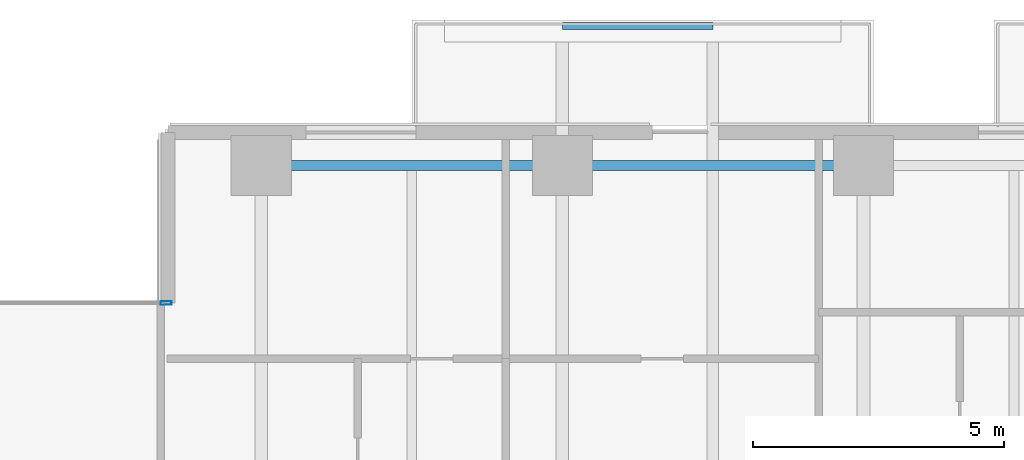
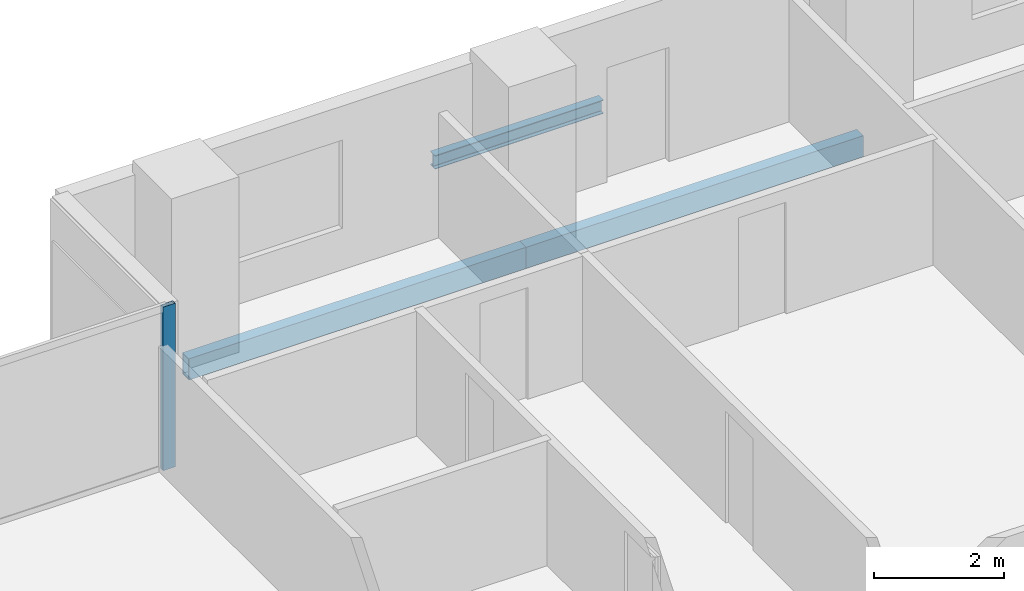
# One storey, part 11 of 33: 3 beams, 1 member, 1 element without a shape of its own.
"""IFC4 building model written with IfcOpenShell, lengths in metres."""

from ifc_helpers import new_model, si_unit, direction, frame, origin, origin_2d, place, context, subcontext, project, spatial, hollow_rectangle, i_section, extrude, material, layer, layer_set, material_profile, profile_set, type_object, element, aggregate, save


model = new_model("IFC4")

# Units and contexts
model_context = context("Model", 3, precision=1e-05, world=origin(), true_north=direction((0.0, 1.0)))
body_context = subcontext(model_context, "Body", "Model", "MODEL_VIEW")
ifc_project = project(units=[si_unit("LENGTHUNIT", "METRE"), si_unit("AREAUNIT", "SQUARE_METRE"), si_unit("VOLUMEUNIT", "CUBIC_METRE"), si_unit("PLANEANGLEUNIT", "RADIAN"), si_unit("MASSUNIT", "GRAM", prefix="KILO")], contexts=[model_context])

# Site, building, storey
site_placement = place(None, origin())
site = spatial("IfcSite", under=ifc_project, at=site_placement, CompositionType="ELEMENT")
building_placement = place(site_placement, origin())
building = spatial("IfcBuilding", under=site, at=building_placement, Name="Tanjung Sevakor Pilgrim Tower", CompositionType="ELEMENT")
storey_placement = place(building_placement, frame((0.0, 0.0, 38.93994140625)))
storey = spatial("IfcBuildingStorey", under=building, at=storey_placement, Name="L10", CompositionType="ELEMENT", Elevation=38.93994140625)

# Beams
ifc_material_1 = material(Name="Steel S355J2", Category="steel")
ifc_material_profile_1 = material_profile(ifc_material_1, i_section(OverallWidth=0.146484375, OverallDepth=0.256103515625, WebThickness=0.00634765625, FlangeThickness=0.010986328125, FilletRadius=0.007568359375, at=origin_2d()))
ifc_profile_set_1 = profile_set([ifc_material_profile_1], Name="Steel S355J2")
beam_type_1 = type_object("IfcBeamType", Name="BM-B-J6-UB_254x146x37", PredefinedType="JOIST", material=ifc_profile_set_1)
beam_placement = place(storey_placement, frame((60.0, 61.580078125, -0.327880859375), z_axis=(1.0, 0.0, 0.0), x_axis=(0.0, 1.0, 0.0)))
element("IfcBeam", 1, at=beam_placement, inside=storey, type_object=beam_type_1, Name="L10 Balcony Rim Tie MAIN-N2", PredefinedType="JOIST", context=body_context, shape_type="SweptSolid", body=[
    extrude(i_section(OverallWidth=0.146484375, OverallDepth=0.256103515625, WebThickness=0.00634765625, FlangeThickness=0.010986328125, FilletRadius=0.007568359375, at=origin_2d()), origin(), (0.0, 0.0, 1.0), 3.0),
])
ifc_material_2 = material(Name="Steel S355J2", Category="steel")
ifc_material_profile_2 = material_profile(ifc_material_2, hollow_rectangle(XDim=0.199951171875, YDim=0.39990234375, WallThickness=0.01611328125, at=origin_2d()))
ifc_profile_set_2 = profile_set([ifc_material_profile_2], Name="Steel S355J2")
beam_type_2 = type_object("IfcBeamType", Name="BM-B-SP2-RHS_400x200x16", PredefinedType="SPANDREL", material=ifc_profile_set_2)
for number, where, z_axis, x_axis, name in (
    (2, (54.0, 58.800048828125, -0.419921875), (1.0, 0.0, 0.0), (0.0, 1.0, 0.0), "L10 Spandrel MAIN N-08"),
    (3, (60.0, 58.800048828125, -0.419921875), (1.0, 0.0, 0.0), (0.0, 1.0, 0.0), "L10 Spandrel MAIN N-10"),
):
    element("IfcBeam", number, at=place(storey_placement, frame(where, z_axis=z_axis, x_axis=x_axis)), inside=storey, type_object=beam_type_2, Name=name, PredefinedType="SPANDREL", context=body_context, shape_type="SweptSolid", body=[
        extrude(hollow_rectangle(XDim=0.199951171875, YDim=0.39990234375, WallThickness=0.01611328125, at=origin_2d()), origin(), (0.0, 0.0, 1.0), 6.0),
    ])

# Curtain wall, member
ifc_material_3 = material(Name="Aluminium 6063-T6 and Low-E Glass", Category="aluminium")
ifc_layer = layer(ifc_material_3, 0.179931640625)
ifc_layer_set = layer_set([ifc_layer], Name="CW-SYS-CLEFT")
curtain_wall_type = type_object("IfcCurtainWallType", Name="CW-SYS-CLEFT", PredefinedType="NOTDEFINED", material=ifc_layer_set)
curtain_wall_placement = place(storey_placement, origin())
curtain_wall = element("IfcCurtainWall", 4, at=curtain_wall_placement, inside=storey, type_object=curtain_wall_type, Name="L10 Curtain Wall CW-CLF-L10-10", PredefinedType="NOTDEFINED")
ifc_material_4 = material(Name="Aluminium 6063-T6", Category="aluminium")
ifc_material_profile_3 = material_profile(ifc_material_4, hollow_rectangle(XDim=0.074951171875, YDim=0.219970703125, WallThickness=0.0048828125, at=origin_2d()))
ifc_profile_set_3 = profile_set([ifc_material_profile_3], Name="Aluminium 6063-T6")
member_type = type_object("IfcMemberType", Name="TYPE-CWM-2", PredefinedType="MULLION", material=ifc_profile_set_3)
member_placement = place(storey_placement, frame((52.1025390625, 56.06005859375, 0.0), z_axis=(0.0, 0.0, 1.0), x_axis=(0.0, -1.0, 0.0)))
member = element("IfcMember", 5, at=member_placement, type_object=member_type, Name="CW-CLF mullion 1", PredefinedType="MULLION", context=body_context, shape_type="SweptSolid", body=[
    extrude(hollow_rectangle(XDim=0.074951171875, YDim=0.219970703125, WallThickness=0.0048828125, at=origin_2d()), origin(), (0.0, 0.0, 1.0), 3.080078125),
])
aggregate(curtain_wall, [member])

save(model, "model.ifc")
